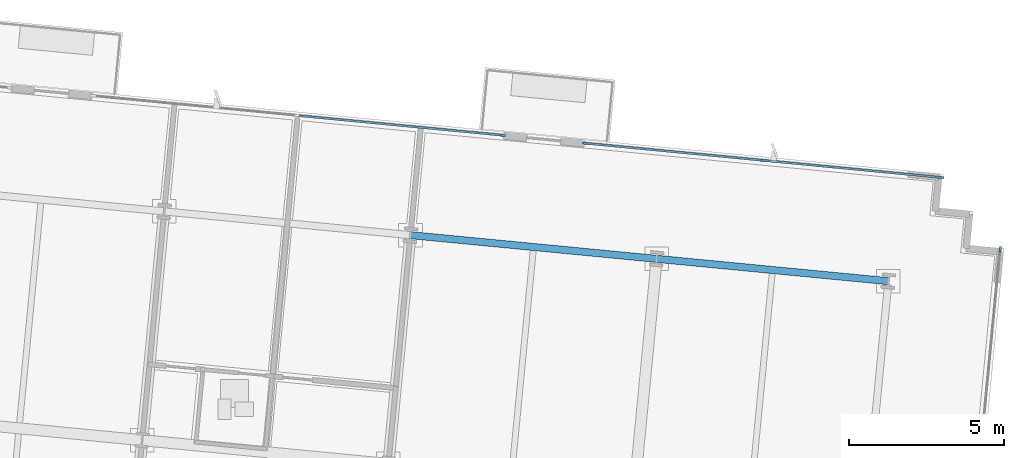
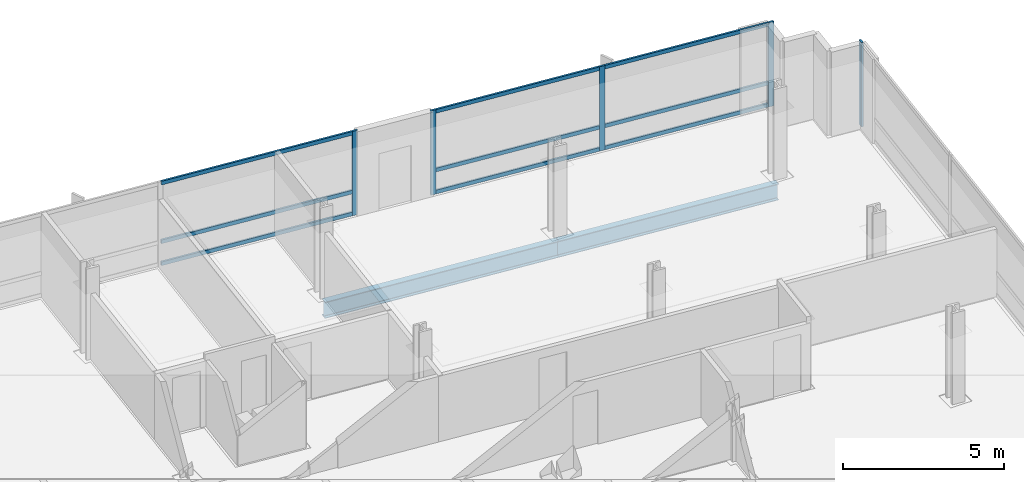
# One storey, part 8 of 17: 14 members, 2 beams, 3 elements without a shape of their own.
"""IFC4 building model written with IfcOpenShell, lengths in metres."""

from ifc_helpers import new_model, si_unit, direction, frame, origin, origin_2d, place, context, subcontext, project, spatial, rectangle, i_section, extrude, material, material_profile, profile_set, type_object, element, aggregate, save


model = new_model("IFC4")

# Units and contexts
model_context = context("Model", 3, precision=1e-05, world=origin(), true_north=direction((0.0, 1.0)))
body_context = subcontext(model_context, "Body", "Model", "MODEL_VIEW")
ifc_project = project(units=[si_unit("LENGTHUNIT", "METRE"), si_unit("AREAUNIT", "SQUARE_METRE"), si_unit("VOLUMEUNIT", "CUBIC_METRE"), si_unit("PLANEANGLEUNIT", "RADIAN"), si_unit("MASSUNIT", "GRAM", prefix="KILO")], contexts=[model_context])

# Site, building, storey
site_placement = place(None, origin())
site = spatial("IfcSite", under=ifc_project, at=site_placement, CompositionType="ELEMENT")
building_placement = place(site_placement, origin())
building = spatial("IfcBuilding", under=site, at=building_placement, Name="Solmavex Isthmus Hotel", CompositionType="ELEMENT")
storey_placement = place(building_placement, frame((0.0, 0.0, 149.699951171875)))
storey = spatial("IfcBuildingStorey", under=building, at=storey_placement, Name="L40", CompositionType="ELEMENT", Elevation=149.699951171875)

# Beams
ifc_material_1 = material(Name="Steel ASTM A992 Grade 50", Category="steel")
ifc_material_profile_1 = material_profile(ifc_material_1, i_section(OverallWidth=0.230224609375, OverallDepth=0.617431640625, WebThickness=0.01318359375, FlangeThickness=0.022216796875, FilletRadius=0.01513671875, at=origin_2d()), Name="W24X94")
ifc_profile_set_1 = profile_set([ifc_material_profile_1], Name="Steel ASTM A992 Grade 50")
beam_type = type_object("IfcBeamType", Name="BM-SP-W24X94", PredefinedType="SPANDREL", material=ifc_profile_set_1)
beam_1_placement = place(storey_placement, frame((9.1953125, 17.966552734375, -0.568603515625), z_axis=(0.995397440011, -0.095832856685, 0.0), x_axis=(0.095832856685, 0.995397440011, 0.0)))
element("IfcBeam", 1, at=beam_1_placement, inside=storey, type_object=beam_type, Name="Floor Girder L40-UG19", PredefinedType="SPANDREL", context=body_context, shape_type="SweptSolid", body=[
    extrude(i_section(OverallWidth=0.230224609375, OverallDepth=0.617431640625, WebThickness=0.01318359375, FlangeThickness=0.022216796875, FilletRadius=0.01513671875, at=origin_2d()), origin(), (0.0, 0.0, 1.0), 7.9560546875),
])
beam_2_placement = place(storey_placement, frame((17.11474609375, 17.2041015625, -0.568603515625), z_axis=(0.995395279593, -0.095855293875, 0.0), x_axis=(0.095855293875, 0.995395279593, 0.0)))
element("IfcBeam", 2, at=beam_2_placement, inside=storey, type_object=beam_type, Name="Floor Girder L40-UG20", PredefinedType="SPANDREL", context=body_context, shape_type="SweptSolid", body=[
    extrude(i_section(OverallWidth=0.230224609375, OverallDepth=0.617431640625, WebThickness=0.01318359375, FlangeThickness=0.022216796875, FilletRadius=0.01513671875, at=origin_2d()), origin(), (0.0, 0.0, 1.0), 7.488037109375),
])

# Curtain wall, member
ifc_material_2 = material(Name="Aluminium alloy 6063-T6", Category="aluminium")
curtain_wall_type = type_object("IfcCurtainWallType", Name="CW-SYS-03", PredefinedType="NOTDEFINED", material=ifc_material_2)
curtain_wall_1_placement = place(storey_placement, origin())
curtain_wall_1 = element("IfcCurtainWall", 3, at=curtain_wall_1_placement, inside=storey, type_object=curtain_wall_type, Name="Stick Curtain Wall CWL-L40-N2", PredefinedType="NOTDEFINED")
ifc_material_profile_2 = material_profile(ifc_material_2, rectangle(XDim=0.070068359375, YDim=0.179931640625, at=origin_2d()), Name="CWM-70X180")
ifc_profile_set_2 = profile_set([ifc_material_profile_2], Name="Aluminium alloy 6063-T6")
member_type_1 = type_object("IfcMemberType", Name="CW-SYS-03-MUL", PredefinedType="MULLION", material=ifc_profile_set_2)
member_1_placement = place(storey_placement, frame((12.15966796875, 21.17724609375, 0.0), z_axis=(0.0, 0.0, 1.0), x_axis=(0.095845138178, 0.995396257521, 0.0)))
member_1 = element("IfcMember", 4, at=member_1_placement, type_object=member_type_1, Name="CW-03 mullion 3", PredefinedType="MULLION", context=body_context, shape_type="SweptSolid", body=[
    extrude(rectangle(XDim=0.070068359375, YDim=0.179931640625, at=origin_2d()), origin(), (0.0, 0.0, 1.0), 3.18994140625),
])

# Curtain wall, members
curtain_wall_2_placement = place(storey_placement, origin())
curtain_wall_2 = element("IfcCurtainWall", 5, at=curtain_wall_2_placement, inside=storey, type_object=curtain_wall_type, Name="Stick Curtain Wall CWL-L40-N3", PredefinedType="NOTDEFINED")
member_2_placement = place(storey_placement, frame((14.8173828125, 20.92138671875, 0.0), z_axis=(0.0, 0.0, 1.0), x_axis=(0.095845603495, 0.995396212717, 0.0)))
member_2 = element("IfcMember", 6, at=member_2_placement, type_object=member_type_1, Name="CW-03 mullion 1", PredefinedType="MULLION", context=body_context, shape_type="SweptSolid", body=[
    extrude(rectangle(XDim=0.070068359375, YDim=0.179931640625, at=origin_2d()), origin(), (0.0, 0.0, 1.0), 3.18994140625),
])
member_3_placement = place(storey_placement, frame((20.5390625, 20.370361328125, 0.0), z_axis=(0.0, 0.0, 1.0), x_axis=(0.095845603495, 0.995396212717, 0.0)))
member_3 = element("IfcMember", 7, at=member_3_placement, type_object=member_type_1, Name="CW-03 mullion 2", PredefinedType="MULLION", context=body_context, shape_type="SweptSolid", body=[
    extrude(rectangle(XDim=0.070068359375, YDim=0.179931640625, at=origin_2d()), origin(), (0.0, 0.0, 1.0), 3.18994140625),
])
member_4_placement = place(storey_placement, frame((26.260498046875, 19.819580078125, 0.0), z_axis=(0.0, 0.0, 1.0), x_axis=(0.095845603495, 0.995396212717, 0.0)))
member_4 = element("IfcMember", 8, at=member_4_placement, type_object=member_type_1, Name="CW-03 mullion 3", PredefinedType="MULLION", context=body_context, shape_type="SweptSolid", body=[
    extrude(rectangle(XDim=0.070068359375, YDim=0.179931640625, at=origin_2d()), origin(), (0.0, 0.0, 1.0), 3.18994140625),
])

# Curtain wall, member
curtain_wall_3_placement = place(storey_placement, origin())
curtain_wall_3 = element("IfcCurtainWall", 9, at=curtain_wall_3_placement, inside=storey, type_object=curtain_wall_type, Name="Stick Curtain Wall CWL-L40-E1", PredefinedType="NOTDEFINED")
member_5_placement = place(storey_placement, frame((28.1630859375, 17.511474609375, 0.0), z_axis=(0.0, 0.0, 1.0), x_axis=(-0.995396190038, 0.09584583902, 0.0)))
member_5 = element("IfcMember", 10, at=member_5_placement, type_object=member_type_1, Name="CW-03 mullion 6", PredefinedType="MULLION", context=body_context, shape_type="SweptSolid", body=[
    extrude(rectangle(XDim=0.070068359375, YDim=0.179931640625, at=origin_2d()), origin(), (0.0, 0.0, 1.0), 3.18994140625),
])
aggregate(curtain_wall_3, [member_5])

# Member
ifc_material_profile_3 = material_profile(ifc_material_2, rectangle(XDim=0.070068359375, YDim=0.139892578125, at=origin_2d()), Name="CWT-70X140")
ifc_profile_set_3 = profile_set([ifc_material_profile_3], Name="Aluminium alloy 6063-T6")
member_type_2 = type_object("IfcMemberType", Name="CW-SYS-03-TRN", PredefinedType="USERDEFINED", material=ifc_profile_set_3)
member_6_placement = place(storey_placement, frame((5.60400390625, 21.808349609375, 0.070068359375), z_axis=(0.995399328313, -0.095813241224, 0.0), x_axis=(0.095813241224, 0.995399328313, 0.0)))
member_6 = element("IfcMember", 11, at=member_6_placement, type_object=member_type_2, Name="CW-03 transom 2.1", ObjectType="TRANSOM", PredefinedType="USERDEFINED", context=body_context, shape_type="SweptSolid", body=[
    extrude(rectangle(XDim=0.070068359375, YDim=0.139892578125, at=origin_2d()), origin(), (0.0, 0.0, 1.0), 6.551025390625),
])

member_7_placement = place(storey_placement, frame((5.60400390625, 21.808349609375, 0.900146484375), z_axis=(0.995399328313, -0.095813241224, 0.0), x_axis=(0.095813241224, 0.995399328313, 0.0)))
member_7 = element("IfcMember", 12, at=member_7_placement, type_object=member_type_2, Name="CW-03 transom 2.2", ObjectType="TRANSOM", PredefinedType="USERDEFINED", context=body_context, shape_type="SweptSolid", body=[
    extrude(rectangle(XDim=0.070068359375, YDim=0.139892578125, at=origin_2d()), origin(), (0.0, 0.0, 1.0), 6.551025390625),
])

member_8_placement = place(storey_placement, frame((5.60400390625, 21.808349609375, 3.1201171875), z_axis=(0.995399328313, -0.095813241224, 0.0), x_axis=(0.095813241224, 0.995399328313, 0.0)))
member_8 = element("IfcMember", 13, at=member_8_placement, type_object=member_type_2, Name="CW-03 transom 2.3", ObjectType="TRANSOM", PredefinedType="USERDEFINED", context=body_context, shape_type="SweptSolid", body=[
    extrude(rectangle(XDim=0.070068359375, YDim=0.139892578125, at=origin_2d()), origin(), (0.0, 0.0, 1.0), 6.551025390625),
])

aggregate(curtain_wall_1, [member_1, member_6, member_7, member_8])

member_9_placement = place(storey_placement, frame((14.852294921875, 20.91796875, 0.070068359375), z_axis=(0.995396573568, -0.095841855831, 0.0), x_axis=(0.095841855831, 0.995396573568, 0.0)))
member_9 = element("IfcMember", 14, at=member_9_placement, type_object=member_type_2, Name="CW-03 transom 1.1", ObjectType="TRANSOM", PredefinedType="USERDEFINED", context=body_context, shape_type="SweptSolid", body=[
    extrude(rectangle(XDim=0.070068359375, YDim=0.139892578125, at=origin_2d()), origin(), (0.0, 0.0, 1.0), 5.677978515625),
])

member_10_placement = place(storey_placement, frame((14.852294921875, 20.91796875, 0.900146484375), z_axis=(0.995396573568, -0.095841855831, 0.0), x_axis=(0.095841855831, 0.995396573568, 0.0)))
member_10 = element("IfcMember", 15, at=member_10_placement, type_object=member_type_2, Name="CW-03 transom 1.2", ObjectType="TRANSOM", PredefinedType="USERDEFINED", context=body_context, shape_type="SweptSolid", body=[
    extrude(rectangle(XDim=0.070068359375, YDim=0.139892578125, at=origin_2d()), origin(), (0.0, 0.0, 1.0), 5.677978515625),
])

member_11_placement = place(storey_placement, frame((14.852294921875, 20.91796875, 3.1201171875), z_axis=(0.995396573568, -0.095841855831, 0.0), x_axis=(0.095841855831, 0.995396573568, 0.0)))
member_11 = element("IfcMember", 16, at=member_11_placement, type_object=member_type_2, Name="CW-03 transom 1.3", ObjectType="TRANSOM", PredefinedType="USERDEFINED", context=body_context, shape_type="SweptSolid", body=[
    extrude(rectangle(XDim=0.070068359375, YDim=0.139892578125, at=origin_2d()), origin(), (0.0, 0.0, 1.0), 5.677978515625),
])

member_12_placement = place(storey_placement, frame((20.573974609375, 20.366943359375, 0.070068359375), z_axis=(0.995396573568, -0.095841855831, 0.0), x_axis=(0.095841855831, 0.995396573568, 0.0)))
member_12 = element("IfcMember", 17, at=member_12_placement, type_object=member_type_2, Name="CW-03 transom 2.1", ObjectType="TRANSOM", PredefinedType="USERDEFINED", context=body_context, shape_type="SweptSolid", body=[
    extrude(rectangle(XDim=0.070068359375, YDim=0.139892578125, at=origin_2d()), origin(), (0.0, 0.0, 1.0), 5.677978515625),
])

member_13_placement = place(storey_placement, frame((20.573974609375, 20.366943359375, 0.900146484375), z_axis=(0.995396573568, -0.095841855831, 0.0), x_axis=(0.095841855831, 0.995396573568, 0.0)))
member_13 = element("IfcMember", 18, at=member_13_placement, type_object=member_type_2, Name="CW-03 transom 2.2", ObjectType="TRANSOM", PredefinedType="USERDEFINED", context=body_context, shape_type="SweptSolid", body=[
    extrude(rectangle(XDim=0.070068359375, YDim=0.139892578125, at=origin_2d()), origin(), (0.0, 0.0, 1.0), 5.677978515625),
])

member_14_placement = place(storey_placement, frame((20.573974609375, 20.366943359375, 3.1201171875), z_axis=(0.995396573568, -0.095841855831, 0.0), x_axis=(0.095841855831, 0.995396573568, 0.0)))
member_14 = element("IfcMember", 19, at=member_14_placement, type_object=member_type_2, Name="CW-03 transom 2.3", ObjectType="TRANSOM", PredefinedType="USERDEFINED", context=body_context, shape_type="SweptSolid", body=[
    extrude(rectangle(XDim=0.070068359375, YDim=0.139892578125, at=origin_2d()), origin(), (0.0, 0.0, 1.0), 5.677978515625),
])

aggregate(curtain_wall_2, [member_2, member_3, member_4, member_9, member_10, member_11, member_12, member_13, member_14])

save(model, "model.ifc")
